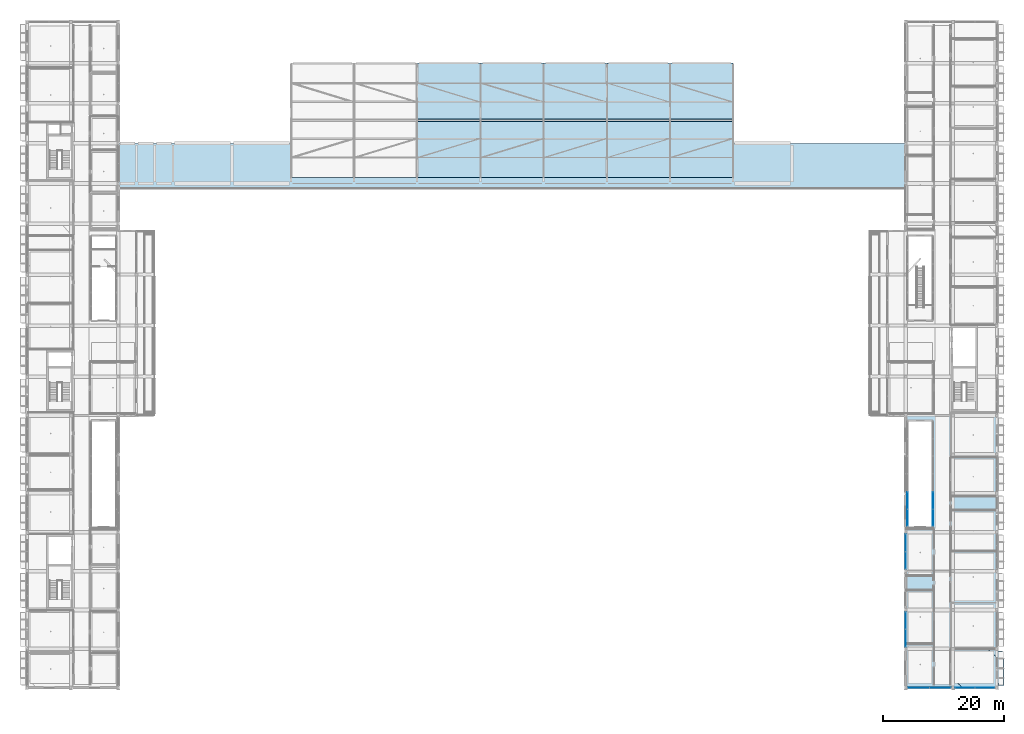
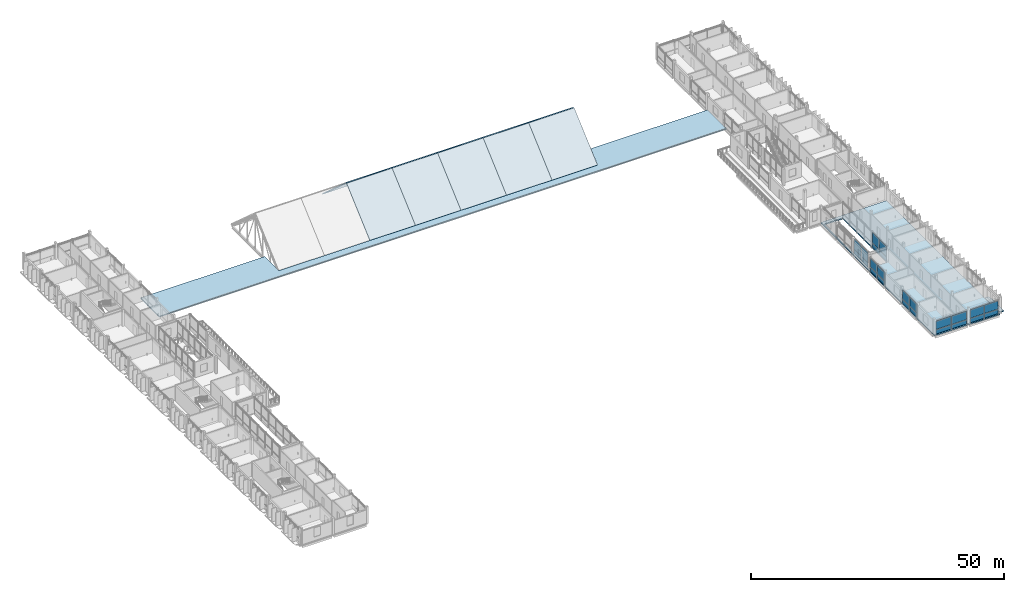
# One storey, part 42 of 86: 24 plates, 14 slabs, 7 elements without a shape of their own.
"""IFC4 building model written with IfcOpenShell, lengths in metres."""

from ifc_helpers import new_model, si_unit, derived_unit, direction, frame, origin, origin_2d, place, context, subcontext, project, spatial, polyline, rectangle, outline, extrude, material, layer, layer_set, type_object, element, aggregate, save


model = new_model("IFC4")

# Units and contexts
model_context = context("Model", 3, precision=1e-05, world=origin(), true_north=direction((0.0, 1.0)))
body_context = subcontext(model_context, "Body", "Model", "MODEL_VIEW")
ifc_project = project(units=[si_unit("LENGTHUNIT", "METRE"), si_unit("AREAUNIT", "SQUARE_METRE"), si_unit("VOLUMEUNIT", "CUBIC_METRE"), si_unit("PLANEANGLEUNIT", "RADIAN"), si_unit("MASSUNIT", "GRAM", prefix="KILO"), derived_unit("THERMALTRANSMITTANCEUNIT", [(si_unit("POWERUNIT", "WATT"), 1), (si_unit("LENGTHUNIT", "METRE"), -2), (si_unit("THERMODYNAMICTEMPERATUREUNIT", "KELVIN"), -1)])], contexts=[model_context])

# Site, building, storey
site_placement = place(None, origin())
site = spatial("IfcSite", under=ifc_project, at=site_placement, CompositionType="ELEMENT")
building_placement = place(site_placement, origin())
building = spatial("IfcBuilding", under=site, at=building_placement, Name="Braskholm Square Health Centre", CompositionType="ELEMENT")
storey_placement = place(building_placement, frame((0.0, 0.0, 13.5)))
storey = spatial("IfcBuildingStorey", under=building, at=storey_placement, Name="L04", CompositionType="ELEMENT", Elevation=13.5)

# Curtain wall, plates
ifc_material_1 = material(Name="Low-E triple insulating glass (VLT 0.64)", Category="glass")
curtain_wall_type_1 = type_object("IfcCurtainWallType", Name="UnitisedCurtainWall6200x3650", PredefinedType="NOTDEFINED", material=ifc_material_1)
curtain_wall_1_placement = place(storey_placement, origin())
curtain_wall_1 = element("IfcCurtainWall", 1, at=curtain_wall_1_placement, inside=storey, type_object=curtain_wall_type_1, Name="East Valley unitised curtain wall CW-L04-0129", PredefinedType="NOTDEFINED")
ifc_material_2 = material(Name="Architectural bronze anodised aluminium", Category="aluminium")
plate_type_1 = type_object("IfcPlateType", Name="CurtainPanelSpandrel2750x1020", PredefinedType="CURTAIN_PANEL", material=ifc_material_2)
plate_1_placement = place(storey_placement, frame((148.800048828125, 15.26220703125, 0.050048828125), z_axis=(0.0, 0.0, 1.0), x_axis=(0.0, -1.0, 0.0)))
plate_1 = element("IfcPlate", 2, at=plate_1_placement, type_object=plate_type_1, Name="CW-L04-0129 spandrel panel 1", PredefinedType="CURTAIN_PANEL", context=body_context, shape_type="SweptSolid", body=[
    extrude(rectangle(XDim=2.782470703125, YDim=0.035888671875, at=origin_2d()), origin(), (0.0, 0.0, 1.0), 1.02001953125),
])
plate_2_placement = place(storey_placement, frame((148.800048828125, 12.337890625, 0.050048828125), z_axis=(0.0, 0.0, 1.0), x_axis=(0.0, -1.0, 0.0)))
plate_2 = element("IfcPlate", 3, at=plate_2_placement, type_object=plate_type_1, Name="CW-L04-0129 spandrel panel 2", PredefinedType="CURTAIN_PANEL", context=body_context, shape_type="SweptSolid", body=[
    extrude(rectangle(XDim=2.782470703125, YDim=0.035888671875, at=origin_2d()), origin(), (0.0, 0.0, 1.0), 1.02001953125),
])

curtain_wall_2_placement = place(storey_placement, origin())
curtain_wall_2 = element("IfcCurtainWall", 4, at=curtain_wall_2_placement, inside=storey, type_object=curtain_wall_type_1, Name="East Valley unitised curtain wall CW-L04-0130", PredefinedType="NOTDEFINED")
plate_3_placement = place(storey_placement, frame((148.800048828125, 28.062255859375, 0.050048828125), z_axis=(0.0, 0.0, 1.0), x_axis=(0.0, -1.0, 0.0)))
plate_3 = element("IfcPlate", 5, at=plate_3_placement, type_object=plate_type_1, Name="CW-L04-0130 spandrel panel 1", PredefinedType="CURTAIN_PANEL", context=body_context, shape_type="SweptSolid", body=[
    extrude(rectangle(XDim=2.782470703125, YDim=0.035888671875, at=origin_2d()), origin(), (0.0, 0.0, 1.0), 1.02001953125),
])
plate_4_placement = place(storey_placement, frame((148.800048828125, 25.1376953125, 0.050048828125), z_axis=(0.0, 0.0, 1.0), x_axis=(0.0, -1.0, 0.0)))
plate_4 = element("IfcPlate", 6, at=plate_4_placement, type_object=plate_type_1, Name="CW-L04-0130 spandrel panel 2", PredefinedType="CURTAIN_PANEL", context=body_context, shape_type="SweptSolid", body=[
    extrude(rectangle(XDim=2.782470703125, YDim=0.035888671875, at=origin_2d()), origin(), (0.0, 0.0, 1.0), 1.02001953125),
])

curtain_wall_type_2 = type_object("IfcCurtainWallType", Name="UnitisedCurtainWall5400x3800", PredefinedType="NOTDEFINED", material=ifc_material_1)
curtain_wall_3_placement = place(storey_placement, origin())
curtain_wall_3 = element("IfcCurtainWall", 7, at=curtain_wall_3_placement, inside=storey, type_object=curtain_wall_type_2, Name="EC1 Court W unitised curtain wall CW-L04-0339", PredefinedType="NOTDEFINED")
plate_5_placement = place(storey_placement, frame((149.10009765625, 32.187744140625, 0.050048828125), z_axis=(0.0, 0.0, 1.0), x_axis=(0.0, 1.0, 0.0)))
plate_5 = element("IfcPlate", 8, at=plate_5_placement, type_object=plate_type_1, Name="CW-L04-0339 spandrel panel 1", PredefinedType="CURTAIN_PANEL", context=body_context, shape_type="SweptSolid", body=[
    extrude(rectangle(XDim=2.689208984375, YDim=0.035888671875, at=origin_2d()), origin(), (0.0, 0.0, 1.0), 1.02001953125),
])
plate_6_placement = place(storey_placement, frame((149.10009765625, 35.014404296875, 0.050048828125), z_axis=(0.0, 0.0, 1.0), x_axis=(0.0, 1.0, 0.0)))
plate_6 = element("IfcPlate", 9, at=plate_6_placement, type_object=plate_type_1, Name="CW-L04-0339 spandrel panel 2", PredefinedType="CURTAIN_PANEL", context=body_context, shape_type="SweptSolid", body=[
    extrude(rectangle(XDim=2.689208984375, YDim=0.035888671875, at=origin_2d()), origin(), (0.0, 0.0, 1.0), 1.02001953125),
])

curtain_wall_4_placement = place(storey_placement, origin())
curtain_wall_4 = element("IfcCurtainWall", 10, at=curtain_wall_4_placement, inside=storey, type_object=curtain_wall_type_2, Name="EC1 Court E unitised curtain wall CW-L04-0340", PredefinedType="NOTDEFINED")
plate_7_placement = place(storey_placement, frame((153.300048828125, 35.014404296875, 0.050048828125), z_axis=(0.0, 0.0, 1.0), x_axis=(0.0, -1.0, 0.0)))
plate_7 = element("IfcPlate", 11, at=plate_7_placement, type_object=plate_type_1, Name="CW-L04-0340 spandrel panel 1", PredefinedType="CURTAIN_PANEL", context=body_context, shape_type="SweptSolid", body=[
    extrude(rectangle(XDim=2.689208984375, YDim=0.035888671875, at=origin_2d()), origin(), (0.0, 0.0, 1.0), 1.02001953125),
])
plate_8_placement = place(storey_placement, frame((153.300048828125, 32.187744140625, 0.050048828125), z_axis=(0.0, 0.0, 1.0), x_axis=(0.0, -1.0, 0.0)))
plate_8 = element("IfcPlate", 12, at=plate_8_placement, type_object=plate_type_1, Name="CW-L04-0340 spandrel panel 2", PredefinedType="CURTAIN_PANEL", context=body_context, shape_type="SweptSolid", body=[
    extrude(rectangle(XDim=2.689208984375, YDim=0.035888671875, at=origin_2d()), origin(), (0.0, 0.0, 1.0), 1.02001953125),
])

curtain_wall_5_placement = place(storey_placement, origin())
curtain_wall_5 = element("IfcCurtainWall", 13, at=curtain_wall_5_placement, inside=storey, type_object=curtain_wall_type_1, Name="Wing End unitised curtain wall CW-L04-0161", PredefinedType="NOTDEFINED")
plate_type_2 = type_object("IfcPlateType", Name="CurtainPanelSpandrel3150x1020", PredefinedType="CURTAIN_PANEL", material=ifc_material_2)
plate_9_placement = place(storey_placement, frame((150.91162109375, 4.199951171875, 0.050048828125), z_axis=(0.0, 0.0, 1.0), x_axis=(1.0, 0.0, 0.0)))
plate_9 = element("IfcPlate", 14, at=plate_9_placement, type_object=plate_type_2, Name="CW-L04-0161 spandrel panel 1", PredefinedType="CURTAIN_PANEL", context=body_context, shape_type="SweptSolid", body=[
    extrude(rectangle(XDim=3.40283203125, YDim=0.035888671875, at=origin_2d()), origin(), (0.0, 0.0, 1.0), 1.02001953125),
])
plate_10_placement = place(storey_placement, frame((154.48828125, 4.199951171875, 0.050048828125), z_axis=(0.0, 0.0, 1.0), x_axis=(1.0, 0.0, 0.0)))
plate_10 = element("IfcPlate", 15, at=plate_10_placement, type_object=plate_type_2, Name="CW-L04-0161 spandrel panel 2", PredefinedType="CURTAIN_PANEL", context=body_context, shape_type="SweptSolid", body=[
    extrude(rectangle(XDim=3.40283203125, YDim=0.035888671875, at=origin_2d()), origin(), (0.0, 0.0, 1.0), 1.02001953125),
])

curtain_wall_6_placement = place(storey_placement, origin())
curtain_wall_6 = element("IfcCurtainWall", 16, at=curtain_wall_6_placement, inside=storey, type_object=curtain_wall_type_1, Name="Wing End unitised curtain wall CW-L04-0162", PredefinedType="NOTDEFINED")
plate_11_placement = place(storey_placement, frame((158.559814453125, 4.199951171875, 0.050048828125), z_axis=(0.0, 0.0, 1.0), x_axis=(1.0, 0.0, 0.0)))
plate_11 = element("IfcPlate", 17, at=plate_11_placement, type_object=plate_type_2, Name="CW-L04-0162 spandrel panel 1", PredefinedType="CURTAIN_PANEL", context=body_context, shape_type="SweptSolid", body=[
    extrude(rectangle(XDim=3.120849609375, YDim=0.035888671875, at=origin_2d()), origin(), (0.0, 0.0, 1.0), 1.02001953125),
])
plate_12_placement = place(storey_placement, frame((161.840087890625, 4.199951171875, 0.050048828125), z_axis=(0.0, 0.0, 1.0), x_axis=(1.0, 0.0, 0.0)))
plate_12 = element("IfcPlate", 18, at=plate_12_placement, type_object=plate_type_2, Name="CW-L04-0162 spandrel panel 2", PredefinedType="CURTAIN_PANEL", context=body_context, shape_type="SweptSolid", body=[
    extrude(rectangle(XDim=3.120849609375, YDim=0.035888671875, at=origin_2d()), origin(), (0.0, 0.0, 1.0), 1.02001953125),
])

# Plate
plate_type_3 = type_object("IfcPlateType", Name="CurtainPanelVision2750x2120", PredefinedType="CURTAIN_PANEL", material=ifc_material_1)
plate_13_placement = place(storey_placement, frame((148.800048828125, 15.26220703125, 1.169921875), z_axis=(0.0, 0.0, 1.0), x_axis=(0.0, -1.0, 0.0)))
plate_13 = element("IfcPlate", 19, at=plate_13_placement, type_object=plate_type_3, Name="CW-L04-0129 vision glass panel 1", PredefinedType="CURTAIN_PANEL", context=body_context, shape_type="SweptSolid", body=[
    extrude(rectangle(XDim=2.782470703125, YDim=0.035888671875, at=origin_2d()), origin(), (0.0, 0.0, 1.0), 2.110107421875),
])

plate_14_placement = place(storey_placement, frame((148.800048828125, 12.337890625, 1.169921875), z_axis=(0.0, 0.0, 1.0), x_axis=(0.0, -1.0, 0.0)))
plate_14 = element("IfcPlate", 20, at=plate_14_placement, type_object=plate_type_3, Name="CW-L04-0129 vision glass panel 2", PredefinedType="CURTAIN_PANEL", context=body_context, shape_type="SweptSolid", body=[
    extrude(rectangle(XDim=2.782470703125, YDim=0.035888671875, at=origin_2d()), origin(), (0.0, 0.0, 1.0), 2.110107421875),
])

aggregate(curtain_wall_1, [plate_1, plate_13, plate_2, plate_14])

plate_15_placement = place(storey_placement, frame((148.800048828125, 28.062255859375, 1.169921875), z_axis=(0.0, 0.0, 1.0), x_axis=(0.0, -1.0, 0.0)))
plate_15 = element("IfcPlate", 21, at=plate_15_placement, type_object=plate_type_3, Name="CW-L04-0130 vision glass panel 1", PredefinedType="CURTAIN_PANEL", context=body_context, shape_type="SweptSolid", body=[
    extrude(rectangle(XDim=2.782470703125, YDim=0.035888671875, at=origin_2d()), origin(), (0.0, 0.0, 1.0), 2.110107421875),
])

plate_16_placement = place(storey_placement, frame((148.800048828125, 25.1376953125, 1.169921875), z_axis=(0.0, 0.0, 1.0), x_axis=(0.0, -1.0, 0.0)))
plate_16 = element("IfcPlate", 22, at=plate_16_placement, type_object=plate_type_3, Name="CW-L04-0130 vision glass panel 2", PredefinedType="CURTAIN_PANEL", context=body_context, shape_type="SweptSolid", body=[
    extrude(rectangle(XDim=2.782470703125, YDim=0.035888671875, at=origin_2d()), origin(), (0.0, 0.0, 1.0), 2.110107421875),
])

aggregate(curtain_wall_2, [plate_3, plate_15, plate_4, plate_16])

plate_type_4 = type_object("IfcPlateType", Name="CurtainPanelVision2750x2520", PredefinedType="CURTAIN_PANEL", material=ifc_material_1)
plate_17_placement = place(storey_placement, frame((149.10009765625, 32.187744140625, 1.169921875), z_axis=(0.0, 0.0, 1.0), x_axis=(0.0, 1.0, 0.0)))
plate_17 = element("IfcPlate", 23, at=plate_17_placement, type_object=plate_type_4, Name="CW-L04-0339 vision glass panel 1", PredefinedType="CURTAIN_PANEL", context=body_context, shape_type="SweptSolid", body=[
    extrude(rectangle(XDim=2.689208984375, YDim=0.035888671875, at=origin_2d()), origin(), (0.0, 0.0, 1.0), 2.489990234375),
])

plate_18_placement = place(storey_placement, frame((149.10009765625, 35.014404296875, 1.169921875), z_axis=(0.0, 0.0, 1.0), x_axis=(0.0, 1.0, 0.0)))
plate_18 = element("IfcPlate", 24, at=plate_18_placement, type_object=plate_type_4, Name="CW-L04-0339 vision glass panel 2", PredefinedType="CURTAIN_PANEL", context=body_context, shape_type="SweptSolid", body=[
    extrude(rectangle(XDim=2.689208984375, YDim=0.035888671875, at=origin_2d()), origin(), (0.0, 0.0, 1.0), 2.489990234375),
])

aggregate(curtain_wall_3, [plate_5, plate_17, plate_6, plate_18])

plate_19_placement = place(storey_placement, frame((153.300048828125, 35.014404296875, 1.169921875), z_axis=(0.0, 0.0, 1.0), x_axis=(0.0, -1.0, 0.0)))
plate_19 = element("IfcPlate", 25, at=plate_19_placement, type_object=plate_type_4, Name="CW-L04-0340 vision glass panel 1", PredefinedType="CURTAIN_PANEL", context=body_context, shape_type="SweptSolid", body=[
    extrude(rectangle(XDim=2.689208984375, YDim=0.035888671875, at=origin_2d()), origin(), (0.0, 0.0, 1.0), 2.489990234375),
])

plate_20_placement = place(storey_placement, frame((153.300048828125, 32.187744140625, 1.169921875), z_axis=(0.0, 0.0, 1.0), x_axis=(0.0, -1.0, 0.0)))
plate_20 = element("IfcPlate", 26, at=plate_20_placement, type_object=plate_type_4, Name="CW-L04-0340 vision glass panel 2", PredefinedType="CURTAIN_PANEL", context=body_context, shape_type="SweptSolid", body=[
    extrude(rectangle(XDim=2.689208984375, YDim=0.035888671875, at=origin_2d()), origin(), (0.0, 0.0, 1.0), 2.489990234375),
])

aggregate(curtain_wall_4, [plate_7, plate_19, plate_8, plate_20])

plate_type_5 = type_object("IfcPlateType", Name="CurtainPanelVision3150x2120", PredefinedType="CURTAIN_PANEL", material=ifc_material_1)
plate_21_placement = place(storey_placement, frame((150.91162109375, 4.199951171875, 1.169921875), z_axis=(0.0, 0.0, 1.0), x_axis=(1.0, 0.0, 0.0)))
plate_21 = element("IfcPlate", 27, at=plate_21_placement, type_object=plate_type_5, Name="CW-L04-0161 vision glass panel 1", PredefinedType="CURTAIN_PANEL", context=body_context, shape_type="SweptSolid", body=[
    extrude(rectangle(XDim=3.40283203125, YDim=0.035888671875, at=origin_2d()), origin(), (0.0, 0.0, 1.0), 1.989990234375),
])

plate_22_placement = place(storey_placement, frame((154.48828125, 4.199951171875, 1.169921875), z_axis=(0.0, 0.0, 1.0), x_axis=(1.0, 0.0, 0.0)))
plate_22 = element("IfcPlate", 28, at=plate_22_placement, type_object=plate_type_5, Name="CW-L04-0161 vision glass panel 2", PredefinedType="CURTAIN_PANEL", context=body_context, shape_type="SweptSolid", body=[
    extrude(rectangle(XDim=3.40283203125, YDim=0.035888671875, at=origin_2d()), origin(), (0.0, 0.0, 1.0), 1.989990234375),
])

aggregate(curtain_wall_5, [plate_9, plate_21, plate_10, plate_22])

plate_23_placement = place(storey_placement, frame((158.559814453125, 4.199951171875, 1.169921875), z_axis=(0.0, 0.0, 1.0), x_axis=(1.0, 0.0, 0.0)))
plate_23 = element("IfcPlate", 29, at=plate_23_placement, type_object=plate_type_5, Name="CW-L04-0162 vision glass panel 1", PredefinedType="CURTAIN_PANEL", context=body_context, shape_type="SweptSolid", body=[
    extrude(rectangle(XDim=3.120849609375, YDim=0.035888671875, at=origin_2d()), origin(), (0.0, 0.0, 1.0), 1.989990234375),
])

plate_24_placement = place(storey_placement, frame((161.840087890625, 4.199951171875, 1.169921875), z_axis=(0.0, 0.0, 1.0), x_axis=(1.0, 0.0, 0.0)))
plate_24 = element("IfcPlate", 30, at=plate_24_placement, type_object=plate_type_5, Name="CW-L04-0162 vision glass panel 2", PredefinedType="CURTAIN_PANEL", context=body_context, shape_type="SweptSolid", body=[
    extrude(rectangle(XDim=3.120849609375, YDim=0.035888671875, at=origin_2d()), origin(), (0.0, 0.0, 1.0), 1.989990234375),
])

aggregate(curtain_wall_6, [plate_11, plate_23, plate_12, plate_24])

# Slab
ifc_material_3 = material(Name="Precast concrete C40/50 architectural white", Category="concrete")
ifc_layer_1 = layer(ifc_material_3, 0.2099609375)
ifc_layer_set_1 = layer_set([ifc_layer_1], Name="Precast concrete C40/50 architectural white")
slab_type_1 = type_object("IfcSlabType", Name="PitchedAndCrownRoofSlab150", PredefinedType="ROOF", material=ifc_layer_set_1)
slab_1_placement = place(storey_placement, frame((0.0, 0.0, -0.2099609375)))
element("IfcSlab", 31, at=slab_1_placement, inside=storey, type_object=slab_type_1, Name="Level L04 East precast planter ledge 097", PredefinedType="ROOF", context=body_context, shape_type="SweptSolid", body=[
    extrude(outline(polyline([(164.052978515625, 4.550048828125), (164.949951171875, 4.550048828125), (164.949951171875, 8.99609375), (164.697021484375, 10.25), (163.800048828125, 10.25), (163.800048828125, 5.803955078125), (164.052978515625, 4.550048828125)])), origin(), (0.0, 0.0, 1.0), 0.2099609375),
])

# Roof, slabs
ifc_material_4 = material(Name="Patinated standing-seam architectural copper")
roof_type = type_object("IfcRoofType", Name="WaitingHallGableRoof", PredefinedType="GABLE_ROOF", material=ifc_material_4)
roof_placement = place(storey_placement, origin())
roof = element("IfcRoof", 32, at=roof_placement, inside=storey, type_object=roof_type, Name="Conservatory Waiting Hall seven-bay pitched copper roof", PredefinedType="GABLE_ROOF")
slab_2_placement = place(storey_placement, frame((68.39990234375, 88.199951171875, 0.0), z_axis=(0.0, -0.665468453999, 0.746425975386), x_axis=(1.0, 0.0, 0.0)))
slab_2 = element("IfcSlab", 33, at=slab_2_placement, type_object=slab_type_1, Name="Waiting Hall pitched roof deck Bay 3 South", PredefinedType="ROOF", context=body_context, shape_type="SweptSolid", body=[
    extrude(outline(polyline([(0.0, 0.0), (10.400146484375, 0.0), (10.400146484375, 12.352156820843742), (0.0, 12.352156820843742), (0.0, 0.0)])), origin(), (0.0, 0.0, -1.0), 0.2099609375),
])
slab_3_placement = place(storey_placement, frame((78.800048828125, 107.0, 0.0), z_axis=(0.0, 0.665468453999, 0.746425975386), x_axis=(-1.0, 0.0, 0.0)))
slab_3 = element("IfcSlab", 34, at=slab_3_placement, type_object=slab_type_1, Name="Waiting Hall pitched roof deck Bay 3 North", PredefinedType="ROOF", context=body_context, shape_type="SweptSolid", body=[
    extrude(outline(polyline([(0.0, 0.0), (10.400146484375, 0.0), (10.400146484375, 12.352156820843742), (0.0, 12.352156820843742), (0.0, 0.0)])), origin(), (0.0, 0.0, -1.0), 0.2099609375),
])
slab_4_placement = place(storey_placement, frame((78.800048828125, 88.199951171875, 0.0), z_axis=(0.0, -0.665468453999, 0.746425975386), x_axis=(1.0, 0.0, 0.0)))
slab_4 = element("IfcSlab", 35, at=slab_4_placement, type_object=slab_type_1, Name="Waiting Hall pitched roof deck Bay 4 South", PredefinedType="ROOF", context=body_context, shape_type="SweptSolid", body=[
    extrude(outline(polyline([(0.0, 0.0), (10.39990234375, 0.0), (10.39990234375, 12.352156820843742), (0.0, 12.352156820843742), (0.0, 0.0)])), origin(), (0.0, 0.0, -1.0), 0.2099609375),
])
slab_5_placement = place(storey_placement, frame((89.199951171875, 107.0, 0.0), z_axis=(0.0, 0.665468453999, 0.746425975386), x_axis=(-1.0, 0.0, 0.0)))
slab_5 = element("IfcSlab", 36, at=slab_5_placement, type_object=slab_type_1, Name="Waiting Hall pitched roof deck Bay 4 North", PredefinedType="ROOF", context=body_context, shape_type="SweptSolid", body=[
    extrude(outline(polyline([(0.0, 0.0), (10.39990234375, 0.0), (10.39990234375, 12.352156820843742), (0.0, 12.352156820843742), (0.0, 0.0)])), origin(), (0.0, 0.0, -1.0), 0.2099609375),
])
slab_6_placement = place(storey_placement, frame((89.199951171875, 88.199951171875, 0.0), z_axis=(0.0, -0.665468453999, 0.746425975386), x_axis=(1.0, 0.0, 0.0)))
slab_6 = element("IfcSlab", 37, at=slab_6_placement, type_object=slab_type_1, Name="Waiting Hall pitched roof deck Bay 5 South", PredefinedType="ROOF", context=body_context, shape_type="SweptSolid", body=[
    extrude(outline(polyline([(0.0, 0.0), (10.400146484375, 0.0), (10.400146484375, 12.352156820843742), (0.0, 12.352156820843742), (0.0, 0.0)])), origin(), (0.0, 0.0, -1.0), 0.2099609375),
])
slab_7_placement = place(storey_placement, frame((99.60009765625, 107.0, 0.0), z_axis=(0.0, 0.665468453999, 0.746425975386), x_axis=(-1.0, 0.0, 0.0)))
slab_7 = element("IfcSlab", 38, at=slab_7_placement, type_object=slab_type_1, Name="Waiting Hall pitched roof deck Bay 5 North", PredefinedType="ROOF", context=body_context, shape_type="SweptSolid", body=[
    extrude(outline(polyline([(0.0, 0.0), (10.400146484375, 0.0), (10.400146484375, 12.352156820843742), (0.0, 12.352156820843742), (0.0, 0.0)])), origin(), (0.0, 0.0, -1.0), 0.2099609375),
])
slab_8_placement = place(storey_placement, frame((99.60009765625, 88.199951171875, 0.0), z_axis=(0.0, -0.665468453999, 0.746425975386), x_axis=(1.0, 0.0, 0.0)))
slab_8 = element("IfcSlab", 39, at=slab_8_placement, type_object=slab_type_1, Name="Waiting Hall pitched roof deck Bay 6 South", PredefinedType="ROOF", context=body_context, shape_type="SweptSolid", body=[
    extrude(outline(polyline([(0.0, 0.0), (10.39990234375, 0.0), (10.39990234375, 12.352156820843742), (0.0, 12.352156820843742), (0.0, 0.0)])), origin(), (0.0, 0.0, -1.0), 0.2099609375),
])
slab_9_placement = place(storey_placement, frame((110.0, 107.0, 0.0), z_axis=(0.0, 0.665468453999, 0.746425975386), x_axis=(-1.0, 0.0, 0.0)))
slab_9 = element("IfcSlab", 40, at=slab_9_placement, type_object=slab_type_1, Name="Waiting Hall pitched roof deck Bay 6 North", PredefinedType="ROOF", context=body_context, shape_type="SweptSolid", body=[
    extrude(outline(polyline([(0.0, 0.0), (10.39990234375, 0.0), (10.39990234375, 12.352156820843742), (0.0, 12.352156820843742), (0.0, 0.0)])), origin(), (0.0, 0.0, -1.0), 0.2099609375),
])
slab_10_placement = place(storey_placement, frame((110.0, 88.199951171875, 0.0), z_axis=(0.0, -0.665468453999, 0.746425975386), x_axis=(1.0, 0.0, 0.0)))
slab_10 = element("IfcSlab", 41, at=slab_10_placement, type_object=slab_type_1, Name="Waiting Hall pitched roof deck Bay 7 South", PredefinedType="ROOF", context=body_context, shape_type="SweptSolid", body=[
    extrude(outline(polyline([(0.0, 0.0), (10.39990234375, 0.0), (10.39990234375, 12.352156820843742), (0.0, 12.352156820843742), (0.0, 0.0)])), origin(), (0.0, 0.0, -1.0), 0.2099609375),
])
slab_11_placement = place(storey_placement, frame((120.39990234375, 107.0, 0.0), z_axis=(0.0, 0.665468453999, 0.746425975386), x_axis=(-1.0, 0.0, 0.0)))
slab_11 = element("IfcSlab", 42, at=slab_11_placement, type_object=slab_type_1, Name="Waiting Hall pitched roof deck Bay 7 North", PredefinedType="ROOF", context=body_context, shape_type="SweptSolid", body=[
    extrude(outline(polyline([(0.0, 0.0), (10.39990234375, 0.0), (10.39990234375, 12.352156820843742), (0.0, 12.352156820843742), (0.0, 0.0)])), origin(), (0.0, 0.0, -1.0), 0.2099609375),
])
aggregate(roof, [slab_2, slab_3, slab_4, slab_5, slab_6, slab_7, slab_8, slab_9, slab_10, slab_11])

# Slabs
ifc_material_5 = material(Name="Concrete C35/45 (f'c = 35 MPa)", Category="concrete")
ifc_layer_2 = layer(ifc_material_5, 0.25)
ifc_layer_set_2 = layer_set([ifc_layer_2], Name="Concrete C35/45 (f'c = 35 MPa)")
slab_type_2 = type_object("IfcSlabType", Name="PlantedTerraceRoofSlab250", PredefinedType="ROOF", material=ifc_layer_set_2)
slab_12_placement = place(storey_placement, frame((0.0, 0.0, -0.25)))
element("IfcSlab", 43, at=slab_12_placement, inside=storey, type_object=slab_type_2, Name="Level L04 Monumental white portal colonnade entablature cornice", PredefinedType="ROOF", context=body_context, shape_type="SweptSolid", body=[
    extrude(outline(polyline([(19.199951171875, 86.39990234375), (148.800048828125, 86.39990234375), (148.800048828125, 93.800048828125), (120.39990234375, 93.800048828125), (120.39990234375, 88.199951171875), (47.60009765625, 88.199951171875), (47.60009765625, 93.800048828125), (19.199951171875, 93.800048828125), (19.199951171875, 86.39990234375)])), origin(), (0.0, 0.0, 1.0), 0.25),
])
ifc_layer_3 = layer(ifc_material_5, 0.199951171875)
ifc_layer_set_3 = layer_set([ifc_layer_3], Name="Concrete C35/45 (f'c = 35 MPa)")
slab_type_3 = type_object("IfcSlabType", Name="PunchingDropPanel200", PredefinedType="USERDEFINED", material=ifc_layer_set_3)
slab_13_placement = place(storey_placement, frame((0.0, 0.0, -0.5)))
element("IfcSlab", 44, at=slab_13_placement, inside=storey, type_object=slab_type_3, Name="Thickened vibration drop panel 015 L04", ObjectType="DROPPANEL", PredefinedType="USERDEFINED", context=body_context, shape_type="SweptSolid", body=[
    extrude(outline(polyline([(158.18408203125, 4.199951171875), (163.800048828125, 4.199951171875), (163.800048828125, 9.19189453125), (162.216064453125, 10.60009765625), (156.60009765625, 10.60009765625), (156.60009765625, 5.60791015625), (158.18408203125, 4.199951171875)])), origin(), (0.0, 0.0, 1.0), 0.199951171875),
])
ifc_layer_4 = layer(ifc_material_5, 0.300048828125)
ifc_layer_set_4 = layer_set([ifc_layer_4], Name="Concrete C35/45 (f'c = 35 MPa)")
slab_type_4 = type_object("IfcSlabType", Name="TwoWayClinicalFlatSlab300", PredefinedType="FLOOR", material=ifc_layer_set_4)
slab_14_placement = place(storey_placement, frame((0.0, 0.0, -0.300048828125)))
element("IfcSlab", 45, at=slab_14_placement, inside=storey, type_object=slab_type_4, Name="Level L04 V4E Southeast consulting wing slab", PredefinedType="FLOOR", context=body_context, shape_type="SweptSolid", body=[
    extrude(outline(polyline([(148.800048828125, 4.199951171875), (163.800048828125, 4.199951171875), (163.800048828125, 49.0), (148.800048828125, 49.0), (148.800048828125, 4.199951171875)]), holes=[polyline([(149.10009765625, 30.60009765625), (153.300048828125, 30.60009765625), (153.300048828125, 48.199951171875), (149.10009765625, 48.199951171875), (149.10009765625, 30.60009765625)])]), origin(), (0.0, 0.0, 1.0), 0.300048828125),
])

save(model, "model.ifc")
